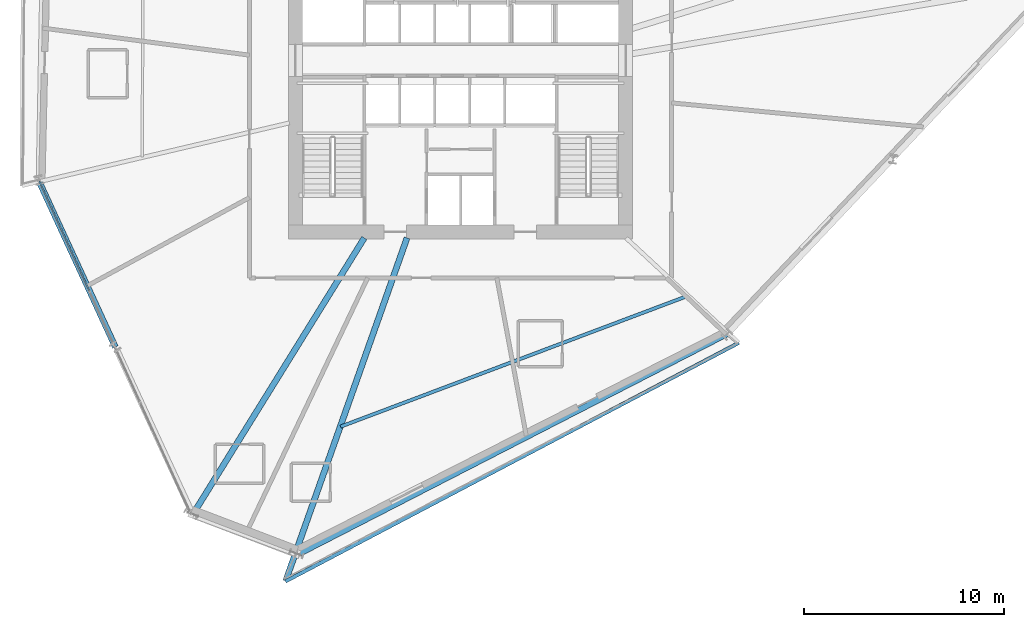
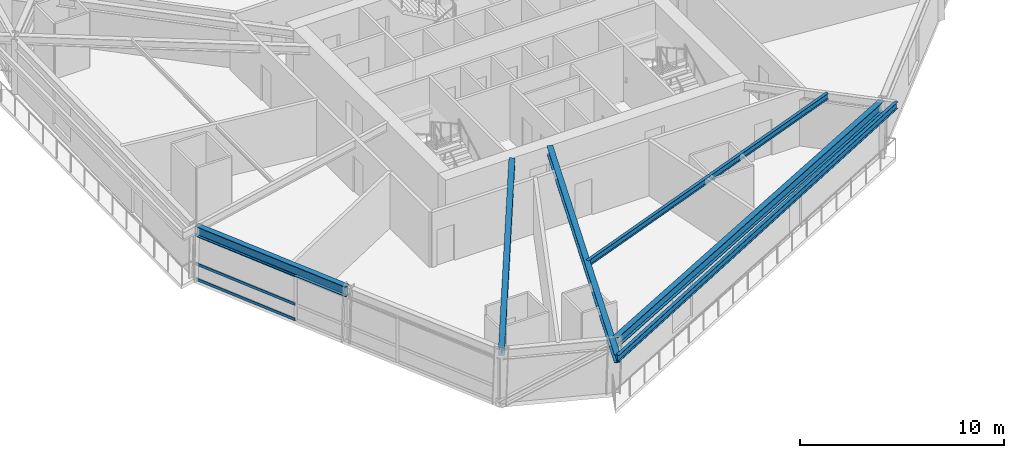
# One storey, part 3 of 21: 6 beams, 3 members, 1 element without a shape of its own.
"""IFC4 building model written with IfcOpenShell, lengths in metres."""

from ifc_helpers import new_model, si_unit, direction, frame, origin, origin_2d, place, context, subcontext, project, spatial, hollow_rectangle, i_section, extrude, source, transform, mapped, material, material_profile, profile_set, type_object, element, aggregate, save


model = new_model("IFC4")

# Units and contexts
model_context = context("Model", 3, precision=1e-05, world=origin(), true_north=direction((0.0, 1.0)))
body_context = subcontext(model_context, "Body", "Model", "MODEL_VIEW")
ifc_project = project(units=[si_unit("LENGTHUNIT", "METRE"), si_unit("AREAUNIT", "SQUARE_METRE"), si_unit("VOLUMEUNIT", "CUBIC_METRE"), si_unit("PLANEANGLEUNIT", "RADIAN"), si_unit("MASSUNIT", "GRAM", prefix="KILO")], contexts=[model_context])

# Site, building, storey
site_placement = place(None, origin())
site = spatial("IfcSite", under=ifc_project, at=site_placement, CompositionType="ELEMENT")
building_placement = place(site_placement, origin())
building = spatial("IfcBuilding", under=site, at=building_placement, Name="Olszyna Solenne Hotel", CompositionType="ELEMENT")
storey_placement = place(building_placement, frame((0.0, 0.0, 91.5)))
storey = spatial("IfcBuildingStorey", under=building, at=storey_placement, Name="L23", CompositionType="ELEMENT", Elevation=91.5)

# Beams
ifc_material_1 = material(Name="Steel S355J2", Category="steel")
ifc_material_profile_1 = material_profile(ifc_material_1, i_section(OverallWidth=0.300048828125, OverallDepth=0.60009765625, WebThickness=0.015380859375, FlangeThickness=0.030029296875, at=origin_2d()), Name="HEB 600", Category="load-bearing")
ifc_profile_set_1 = profile_set([ifc_material_profile_1], Name="Steel S355J2")
beam_type_1 = type_object("IfcBeamType", Name="BM-S2", PredefinedType="BEAM", material=ifc_profile_set_1)
shared_shape_1 = source(origin(), body_context, "Body", "SweptSolid", [
    extrude(i_section(OverallWidth=0.300048828125, OverallDepth=0.60009765625, WebThickness=0.015380859375, FlangeThickness=0.030029296875, at=origin_2d()), origin(), (0.0, 0.0, 1.0), 9.043212890625),
])
beam_1_placement = place(storey_placement, frame((16.96630859375, 21.60400390625, 3.0), z_axis=(0.418784233182, -0.908085770199, 0.0), x_axis=(0.908085770199, 0.418784233182, 0.0)))
element("IfcBeam", 1, at=beam_1_placement, inside=storey, type_object=beam_type_1, Name="Perimeter spandrel beam BM-S2 B-L23-0697", PredefinedType="BEAM", context=body_context, shape_type="MappedRepresentation", body=[
    mapped(shared_shape_1, transform((0.0, 0.0, 0.0), x_axis=(1.0, 0.0, 0.0), y_axis=(0.0, 1.0, 0.0), z_axis=(0.0, 0.0, 1.0), scale=1.0)),
])
ifc_material_profile_2 = material_profile(ifc_material_1, i_section(OverallWidth=0.179931640625, OverallDepth=0.39990234375, WebThickness=0.008544921875, FlangeThickness=0.013427734375, at=origin_2d()), Name="IPE 400", Category="load-bearing")
ifc_profile_set_2 = profile_set([ifc_material_profile_2], Name="Steel S355J2")
beam_type_2 = type_object("IfcBeamType", Name="BM-F5", PredefinedType="BEAM", material=ifc_profile_set_2)
shared_shape_2 = source(origin(), body_context, "Body", "SweptSolid", [
    extrude(i_section(OverallWidth=0.179931640625, OverallDepth=0.39990234375, WebThickness=0.008544921875, FlangeThickness=0.013427734375, at=origin_2d()), origin(), (0.0, 0.0, 1.0), 25.604736328125),
])
beam_2_placement = place(storey_placement, frame((29.252685546875, 1.6826171875, 3.10009765625), z_axis=(0.884988948886, 0.465612027711, 0.0), x_axis=(-0.465612027711, 0.884988948886, 0.0)))
element("IfcBeam", 2, at=beam_2_placement, inside=storey, type_object=beam_type_2, Name="Loggia outer edge beam BM-F5 B-L23-0719", PredefinedType="BEAM", context=body_context, shape_type="MappedRepresentation", body=[
    mapped(shared_shape_2, transform((0.0, 0.0, 0.0), x_axis=(1.0, 0.0, 0.0), y_axis=(0.0, 1.0, 0.0), z_axis=(0.0, 0.0, 1.0), scale=1.0)),
])
shared_shape_3 = source(origin(), body_context, "Body", "SweptSolid", [
    extrude(i_section(OverallWidth=0.300048828125, OverallDepth=0.60009765625, WebThickness=0.015380859375, FlangeThickness=0.030029296875, at=origin_2d()), origin(), (0.0, 0.0, 1.0), 24.03076171875),
])
beam_3_placement = place(storey_placement, frame((29.930908203125, 3.066162109375, 3.0), z_axis=(0.889489123144, 0.456956343439, 0.0), x_axis=(-0.456956343439, 0.889489123144, 0.0)))
element("IfcBeam", 3, at=beam_3_placement, inside=storey, type_object=beam_type_1, Name="Perimeter spandrel beam BM-S2 B-L23-0700", PredefinedType="BEAM", context=body_context, shape_type="MappedRepresentation", body=[
    mapped(shared_shape_3, transform((0.0, 0.0, 0.0), x_axis=(1.0, 0.0, 0.0), y_axis=(0.0, 1.0, 0.0), z_axis=(0.0, 0.0, 1.0), scale=1.0)),
])
ifc_material_profile_3 = material_profile(ifc_material_1, i_section(OverallWidth=0.300048828125, OverallDepth=0.489990234375, WebThickness=0.011962890625, FlangeThickness=0.02294921875, at=origin_2d()), Name="HEA 500", Category="load-bearing")
ifc_profile_set_3 = profile_set([ifc_material_profile_3], Name="Steel S355J2")
beam_type_3 = type_object("IfcBeamType", Name="BM-G1", PredefinedType="BEAM", material=ifc_profile_set_3)
shared_shape_4 = source(origin(), body_context, "Body", "SweptSolid", [
    extrude(i_section(OverallWidth=0.300048828125, OverallDepth=0.489990234375, WebThickness=0.011962890625, FlangeThickness=0.02294921875, at=origin_2d()), origin(), (0.0, 0.0, 1.0), 16.208740234375),
])
beam_4_placement = place(storey_placement, frame((24.647705078125, 5.0673828125, 3.054931640625), z_axis=(0.527002119036, 0.849863969428, 0.0), x_axis=(-0.849863969428, 0.527002119036, 0.0)))
element("IfcBeam", 4, at=beam_4_placement, inside=storey, type_object=beam_type_3, Name="Radial floor girder BM-G1 B-L23-0709", PredefinedType="BEAM", context=body_context, shape_type="MappedRepresentation", body=[
    mapped(shared_shape_4, transform((0.0, 0.0, 0.0), x_axis=(1.0, 0.0, 0.0), y_axis=(0.0, 1.0, 0.0), z_axis=(0.0, 0.0, 1.0), scale=1.0)),
])
shared_shape_5 = source(origin(), body_context, "Body", "SweptSolid", [
    extrude(i_section(OverallWidth=0.300048828125, OverallDepth=0.489990234375, WebThickness=0.011962890625, FlangeThickness=0.02294921875, at=origin_2d()), origin(), (0.0, 0.0, 1.0), 18.18798828125),
])
beam_5_placement = place(storey_placement, frame((29.25927734375, 1.70166015625, 3.054931640625), z_axis=(0.333635177754, 0.942702269099, 0.0), x_axis=(-0.942702269099, 0.333635177754, 0.0)))
element("IfcBeam", 5, at=beam_5_placement, inside=storey, type_object=beam_type_3, Name="Radial floor girder BM-G1 B-L23-0710", PredefinedType="BEAM", context=body_context, shape_type="MappedRepresentation", body=[
    mapped(shared_shape_5, transform((0.0, 0.0, 0.0), x_axis=(1.0, 0.0, 0.0), y_axis=(0.0, 1.0, 0.0), z_axis=(0.0, 0.0, 1.0), scale=1.0)),
])
ifc_material_profile_4 = material_profile(ifc_material_1, i_section(OverallWidth=0.169921875, OverallDepth=0.360107421875, WebThickness=0.008056640625, FlangeThickness=0.0126953125, at=origin_2d()), Name="IPE 360", Category="load-bearing")
ifc_profile_set_4 = profile_set([ifc_material_profile_4], Name="Steel S355J2")
beam_type_4 = type_object("IfcBeamType", Name="JS-01", PredefinedType="JOIST", material=ifc_profile_set_4)
shared_shape_6 = source(origin(), body_context, "Body", "SweptSolid", [
    extrude(i_section(OverallWidth=0.169921875, OverallDepth=0.360107421875, WebThickness=0.008056640625, FlangeThickness=0.0126953125, at=origin_2d()), origin(), (0.0, 0.0, 1.0), 18.5458984375),
])
beam_6_placement = place(storey_placement, frame((32.0048828125, 9.413818359375, 3.1201171875), z_axis=(0.935817487886, 0.352484934949, 0.0), x_axis=(-0.352484934949, 0.935817487886, 0.0)))
element("IfcBeam", 6, at=beam_6_placement, inside=storey, type_object=beam_type_4, Name="Secondary composite floor joist JS-01 B-L23-0716", PredefinedType="JOIST", context=body_context, shape_type="MappedRepresentation", body=[
    mapped(shared_shape_6, transform((0.0, 0.0, 0.0), x_axis=(1.0, 0.0, 0.0), y_axis=(0.0, 1.0, 0.0), z_axis=(0.0, 0.0, 1.0), scale=1.0)),
])

# Curtain wall, members
ifc_material_2 = material(Name="Anodised bronze aluminium", Category="aluminium")
curtain_wall_type = type_object("IfcCurtainWallType", Name="CW-SYS-3", PredefinedType="NOTDEFINED", material=ifc_material_2)
curtain_wall_placement = place(storey_placement, origin())
curtain_wall = element("IfcCurtainWall", 7, at=curtain_wall_placement, inside=storey, type_object=curtain_wall_type, Name="Unitised curtain wall CW-SYS-3 CW-L23-01", PredefinedType="NOTDEFINED")
ifc_material_profile_5 = material_profile(ifc_material_2, hollow_rectangle(XDim=0.074951171875, YDim=0.159912109375, WallThickness=0.00390625, at=origin_2d()), Name="TRAN 160x75x4", Category="load-bearing")
ifc_profile_set_5 = profile_set([ifc_material_profile_5], Name="Anodised bronze aluminium")
member_type = type_object("IfcMemberType", Name="CW-T1", PredefinedType="USERDEFINED", material=ifc_profile_set_5)
shared_shape_7 = source(origin(), body_context, "Body", "SweptSolid", [
    extrude(hollow_rectangle(XDim=0.074951171875, YDim=0.159912109375, WallThickness=0.00390625, at=origin_2d()), origin(), (0.0, 0.0, 1.0), 5.99658203125),
])
member_1_placement = place(storey_placement, frame((16.950927734375, 21.682373046875, 0.03759765625), z_axis=(0.414793497758, -0.909915575324, 0.0), x_axis=(0.909915575324, 0.414793497758, 0.0)))
member_1 = element("IfcMember", 8, at=member_1_placement, type_object=member_type, Name="Curtain-wall transom CW-T1 CT-L23-01-01", ObjectType="TRANSOM", PredefinedType="USERDEFINED", context=body_context, shape_type="MappedRepresentation", body=[
    mapped(shared_shape_7, transform((0.0, 0.0, 0.0), x_axis=(1.0, 0.0, 0.0), y_axis=(0.0, 1.0, 0.0), z_axis=(0.0, 0.0, 1.0), scale=1.0)),
])
member_2_placement = place(storey_placement, frame((16.950927734375, 21.682373046875, 0.949951171875), z_axis=(0.414793497758, -0.909915575324, 0.0), x_axis=(0.909915575324, 0.414793497758, 0.0)))
member_2 = element("IfcMember", 9, at=member_2_placement, type_object=member_type, Name="Curtain-wall transom CW-T1 CT-L23-01-02", ObjectType="TRANSOM", PredefinedType="USERDEFINED", context=body_context, shape_type="MappedRepresentation", body=[
    mapped(shared_shape_7, transform((0.0, 0.0, 0.0), x_axis=(1.0, 0.0, 0.0), y_axis=(0.0, 1.0, 0.0), z_axis=(0.0, 0.0, 1.0), scale=1.0)),
])
member_3_placement = place(storey_placement, frame((16.950927734375, 21.682373046875, 2.654541015625), z_axis=(0.414793497758, -0.909915575324, 0.0), x_axis=(0.909915575324, 0.414793497758, 0.0)))
member_3 = element("IfcMember", 10, at=member_3_placement, type_object=member_type, Name="Curtain-wall transom CW-T1 CT-L23-01-03", ObjectType="TRANSOM", PredefinedType="USERDEFINED", context=body_context, shape_type="MappedRepresentation", body=[
    mapped(shared_shape_7, transform((0.0, 0.0, 0.0), x_axis=(1.0, 0.0, 0.0), y_axis=(0.0, 1.0, 0.0), z_axis=(0.0, 0.0, 1.0), scale=1.0)),
])
aggregate(curtain_wall, [member_1, member_2, member_3])

save(model, "model.ifc")
